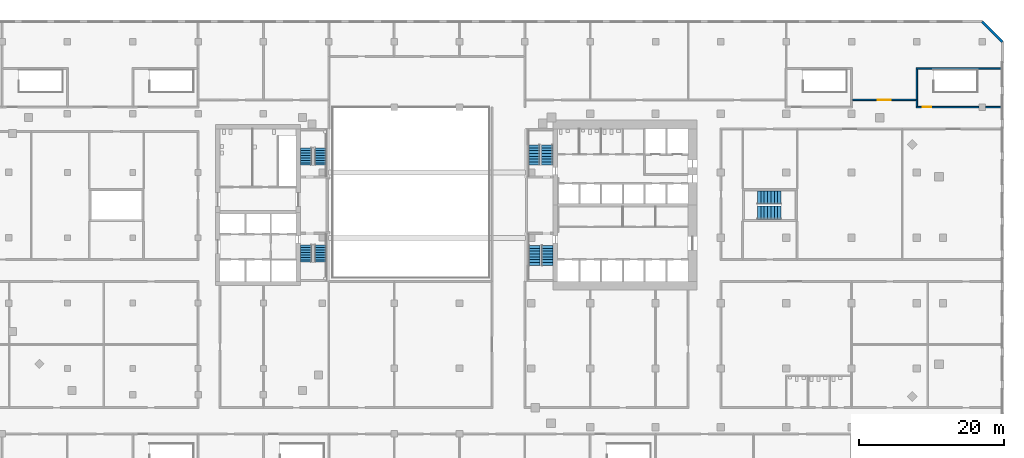
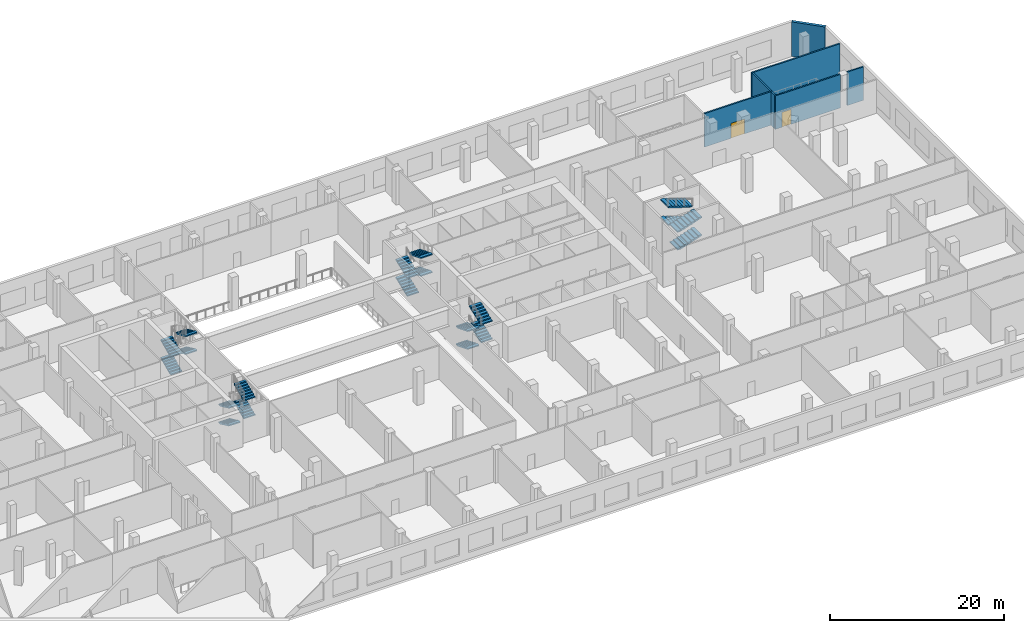
# One storey, part 15 of 20: 20 stair flights, 7 walls, 2 doors, 2 openings, 5 elements without a shape of their own.
"""IFC4 building model written with IfcOpenShell, lengths in metres."""

from ifc_helpers import new_model, si_unit, direction, frame, frame_2d, origin, place, context, subcontext, project, spatial, polyline, rectangle, outline, extrude, material, layer, layer_set, type_object, element, fill, aggregate, save


model = new_model("IFC4")

# Units and contexts
model_context = context("Model", 3, precision=1e-05, world=origin(), true_north=direction((0.0, 1.0)))
body_context = subcontext(model_context, "Body", "Model", "MODEL_VIEW")
ifc_project = project(units=[si_unit("LENGTHUNIT", "METRE"), si_unit("AREAUNIT", "SQUARE_METRE"), si_unit("VOLUMEUNIT", "CUBIC_METRE"), si_unit("PLANEANGLEUNIT", "RADIAN"), si_unit("MASSUNIT", "GRAM", prefix="KILO")], contexts=[model_context])

# Site, building, storey
site_placement = place(None, origin())
site = spatial("IfcSite", under=ifc_project, at=site_placement, CompositionType="ELEMENT")
building_placement = place(site_placement, origin())
building = spatial("IfcBuilding", under=site, at=building_placement, Name="Cinnabar Reach Civic Tower", CompositionType="ELEMENT")
storey_placement = place(building_placement, frame((0.0, 0.0, 21.0)))
storey = spatial("IfcBuildingStorey", under=building, at=storey_placement, Name="L04", CompositionType="ELEMENT", Elevation=21.0)

# Wall
ifc_material_1 = material(Name="Facing brick with insulated backing", Category="masonry")
ifc_layer_1 = layer(ifc_material_1, 0.36)
ifc_layer_set_1 = layer_set([ifc_layer_1], Name="Brick corner wall")
wall_type_1 = type_object("IfcWallType", Name="Brick corner wall", PredefinedType="STANDARD", material=ifc_layer_set_1)
wall_1_placement = place(storey_placement, frame((65.7843, 53.9611, 0.0), z_axis=(0.0, 0.0, 1.0), x_axis=(-0.707106781187, 0.707106781187, 0.0)))
element("IfcWall", 1, at=wall_1_placement, inside=storey, type_object=wall_type_1, Name="Brick corner wall", PredefinedType="STANDARD", context=body_context, shape_type="SweptSolid", body=[
    extrude(rectangle(XDim=3.9926, YDim=0.36, at=frame_2d((1.9963, 0.0))), origin(), (0.0, 0.0, 1.0), 4.85),
])

# Wall, opening, door
ifc_material_2 = material(Name="Concrete blockwork", Category="masonry")
ifc_layer_2 = layer(ifc_material_2, 0.2)
ifc_layer_set_2 = layer_set([ifc_layer_2], Name="Podium masonry corridor wall 200 EI 120")
wall_type_2 = type_object("IfcWallType", Name="Podium masonry corridor wall 200 EI 120", PredefinedType="PARTITIONING", material=ifc_layer_set_2)
wall_2_placement = place(storey_placement, frame((45.1, 46.0, 0.0), z_axis=(0.0, 0.0, 1.0), x_axis=(1.0, 0.0, 0.0)))
wall_2 = element("IfcWall", 2, at=wall_2_placement, inside=storey, type_object=wall_type_2, Name="Wall L04 98", PredefinedType="PARTITIONING", context=body_context, shape_type="SweptSolid", body=[
    extrude(rectangle(XDim=8.8, YDim=0.2, at=frame_2d((4.4, 0.0))), origin(), (0.0, 0.0, 1.0), 4.7),
])
opening_1_placement = place(wall_2_placement, frame((3.5, 0.0, 0.0)))
opening_1 = element("IfcOpeningElement", 3, at=opening_1_placement, cuts=wall_2, Name="Opening D1255", PredefinedType="OPENING", context=body_context, shape_type="SweptSolid", body=[
    extrude(rectangle(XDim=1.8, YDim=2.1, at=frame_2d((0.9, 1.05))), frame((0.0, 0.11, 0.0), z_axis=(0.0, -1.0, 0.0), x_axis=(1.0, 0.0, 0.0)), (0.0, 0.0, 1.0), 0.22),
])
ifc_material_3 = material(Name="Painted steel door leaf", Category="steel")
door_type_1 = type_object("IfcDoorType", Name="Podium double door 1800x2100", OperationType="DOUBLE_DOOR_SINGLE_SWING", PredefinedType="DOOR", material=ifc_material_3)
door_1_placement = place(opening_1_placement, origin())
door_1 = element("IfcDoor", 4, at=door_1_placement, inside=storey, type_object=door_type_1, Name="Door D1255", OperationType="DOUBLE_DOOR_SINGLE_SWING", OverallHeight=2.1, OverallWidth=1.8, PredefinedType="DOOR", context=body_context, shape_type="SweptSolid", body=[
    extrude(rectangle(XDim=1.8, YDim=2.1, at=frame_2d((0.9, 1.05))), frame((0.0, 0.025, 0.0), z_axis=(0.0, -1.0, 0.0), x_axis=(1.0, 0.0, 0.0)), (0.0, 0.0, 1.0), 0.05),
])
fill(opening_1, door_1)

# Wall
ifc_material_4 = material(Name="Concrete C40", Category="concrete")
ifc_layer_3 = layer(ifc_material_4, 0.2)
ifc_layer_set_3 = layer_set([ifc_layer_3], Name="Podium stair shaft wall 200 EI 120")
wall_type_3 = type_object("IfcWallType", Name="Podium stair shaft wall 200 EI 120", PredefinedType="SOLIDWALL", material=ifc_layer_set_3)
wall_3_placement = place(storey_placement, frame((54.0, 45.1, 0.0), z_axis=(0.0, 0.0, 1.0), x_axis=(0.0, 1.0, 0.0)))
element("IfcWall", 5, at=wall_3_placement, inside=storey, type_object=wall_type_3, Name="Wall L04 17", PredefinedType="SOLIDWALL", context=body_context, shape_type="SweptSolid", body=[
    extrude(rectangle(XDim=0.9, YDim=0.2, at=frame_2d((0.45, 0.0))), origin(), (0.0, 0.0, 1.0), 4.7),
])

# Wall, opening, door
wall_4_placement = place(storey_placement, frame((53.9, 45.0, 0.0), z_axis=(0.0, 0.0, 1.0), x_axis=(1.0, 0.0, 0.0)))
wall_4 = element("IfcWall", 6, at=wall_4_placement, inside=storey, type_object=wall_type_3, Name="Wall L04 18", PredefinedType="SOLIDWALL", context=body_context, shape_type="SweptSolid", body=[
    extrude(rectangle(XDim=8.63, YDim=0.2, at=frame_2d((4.315, 0.0))), origin(), (0.0, 0.0, 1.0), 4.7),
])
opening_2_placement = place(wall_4_placement, frame((0.9, 0.0, 0.0)))
opening_2 = element("IfcOpeningElement", 7, at=opening_2_placement, cuts=wall_4, Name="Opening D1279", PredefinedType="OPENING", context=body_context, shape_type="SweptSolid", body=[
    extrude(rectangle(XDim=1.2, YDim=2.1, at=frame_2d((0.6, 1.05))), frame((0.0, 0.11, 0.0), z_axis=(0.0, -1.0, 0.0), x_axis=(1.0, 0.0, 0.0)), (0.0, 0.0, 1.0), 0.22),
])
door_type_2 = type_object("IfcDoorType", Name="Podium single door 1200x2100", OperationType="SINGLE_SWING_LEFT", PredefinedType="DOOR", material=ifc_material_3)
door_2_placement = place(opening_2_placement, origin())
door_2 = element("IfcDoor", 8, at=door_2_placement, inside=storey, type_object=door_type_2, Name="Door D1279", OperationType="SINGLE_SWING_LEFT", OverallHeight=2.1, OverallWidth=1.2, PredefinedType="DOOR", context=body_context, shape_type="SweptSolid", body=[
    extrude(rectangle(XDim=1.2, YDim=2.1, at=frame_2d((0.6, 1.05))), frame((0.0, 0.025, 0.0), z_axis=(0.0, -1.0, 0.0), x_axis=(1.0, 0.0, 0.0)), (0.0, 0.0, 1.0), 0.05),
])
fill(opening_2, door_2)

# Walls
wall_5_placement = place(storey_placement, frame((63.47, 45.0, 0.0), z_axis=(0.0, 0.0, 1.0), x_axis=(1.0, 0.0, 0.0)))
element("IfcWall", 9, at=wall_5_placement, inside=storey, type_object=wall_type_3, Name="Wall L04 19", PredefinedType="SOLIDWALL", context=body_context, shape_type="SweptSolid", body=[
    extrude(rectangle(XDim=2.13, YDim=0.2, at=frame_2d((1.065, 0.0))), origin(), (0.0, 0.0, 1.0), 4.7),
])
wall_6_placement = place(storey_placement, frame((54.0, 46.0, 0.0), z_axis=(0.0, 0.0, 1.0), x_axis=(0.0, 1.0, 0.0)))
element("IfcWall", 10, at=wall_6_placement, inside=storey, type_object=wall_type_3, Name="Wall L04 20", PredefinedType="SOLIDWALL", context=body_context, shape_type="SweptSolid", body=[
    extrude(rectangle(XDim=4.25, YDim=0.2, at=frame_2d((2.125, 0.0))), origin(), (0.0, 0.0, 1.0), 4.7),
])
wall_7_placement = place(storey_placement, frame((53.9, 50.35, 0.0), z_axis=(0.0, 0.0, 1.0), x_axis=(1.0, 0.0, 0.0)))
element("IfcWall", 11, at=wall_7_placement, inside=storey, type_object=wall_type_3, Name="Wall L04 21", PredefinedType="SOLIDWALL", context=body_context, shape_type="SweptSolid", body=[
    extrude(rectangle(XDim=11.7, YDim=0.2, at=frame_2d((5.85, 0.0))), origin(), (0.0, 0.0, 1.0), 4.7),
])

# Stair, stair flights
ifc_material_5 = material(Name="Concrete C40/50", Category="concrete")
stair_type_1 = type_object("IfcStairType", Name="T1 Exit stair, double return", PredefinedType="DOUBLE_RETURN_STAIR", material=ifc_material_5)
stair_1_placement = place(storey_placement, origin())
stair_1 = element("IfcStair", 12, at=stair_1_placement, inside=storey, type_object=stair_type_1, Name="Stair T1-S1", PredefinedType="DOUBLE_RETURN_STAIR")
stair_flight_type_1 = type_object("IfcStairFlightType", Name="T1 Stair flight, concrete", PredefinedType="STRAIGHT", material=ifc_material_5)
stair_flight_1_placement = place(storey_placement, frame((1.3125, 25.95, 0.0), z_axis=(0.0, 0.0, 1.0), x_axis=(0.0, -1.0, 0.0)))
stair_flight_1 = element("IfcStairFlight", 13, at=stair_flight_1_placement, type_object=stair_flight_type_1, Name="T1-S1 flight 1", NumberOfRisers=8, NumberOfTreads=7, PredefinedType="STRAIGHT", RiserHeight=0.15625, TreadLength=0.392142857, context=body_context, shape_type="SweptSolid", body=[
    extrude(outline(polyline([(0.0, 0.0), (0.0, 0.1562), (0.3921, 0.1562), (0.3921, 0.3125), (0.7843, 0.3125), (0.7843, 0.4688), (1.1764, 0.4688), (1.1764, 0.625), (1.5686, 0.625), (1.5686, 0.7812), (1.9607, 0.7812), (1.9607, 0.9375), (2.3529, 0.9375), (2.3529, 1.0938), (2.745, 1.0938), (2.745, 1.25), (2.745, 0.9323), (0.4052, 0.0), (0.0, 0.0)])), frame((0.0, 0.7625, 0.0), z_axis=(0.0, -1.0, 0.0), x_axis=(1.0, 0.0, 0.0)), (0.0, 0.0, 1.0), 1.525),
])
stair_flight_2_placement = place(storey_placement, frame((3.0875, 23.205, 1.25), z_axis=(0.0, 0.0, 1.0), x_axis=(0.0, 1.0, 0.0)))
stair_flight_2 = element("IfcStairFlight", 14, at=stair_flight_2_placement, type_object=stair_flight_type_1, Name="T1-S1 flight 2", NumberOfRisers=8, NumberOfTreads=7, PredefinedType="STRAIGHT", RiserHeight=0.15625, TreadLength=0.392142857, context=body_context, shape_type="SweptSolid", body=[
    extrude(outline(polyline([(0.0, 0.0), (0.0, 0.1562), (0.3921, 0.1562), (0.3921, 0.3125), (0.7843, 0.3125), (0.7843, 0.4688), (1.1764, 0.4688), (1.1764, 0.625), (1.5686, 0.625), (1.5686, 0.7812), (1.9607, 0.7812), (1.9607, 0.9375), (2.3529, 0.9375), (2.3529, 1.0938), (2.745, 1.0938), (2.745, 1.25), (2.745, 0.9323), (0.4052, 0.0), (0.0, 0.0)])), frame((0.0, 0.7625, 0.0), z_axis=(0.0, -1.0, 0.0), x_axis=(1.0, 0.0, 0.0)), (0.0, 0.0, 1.0), 1.525),
])
stair_flight_3_placement = place(storey_placement, frame((1.3125, 25.95, 2.5), z_axis=(0.0, 0.0, 1.0), x_axis=(0.0, -1.0, 0.0)))
stair_flight_3 = element("IfcStairFlight", 15, at=stair_flight_3_placement, type_object=stair_flight_type_1, Name="T1-S1 flight 3", NumberOfRisers=8, NumberOfTreads=7, PredefinedType="STRAIGHT", RiserHeight=0.15625, TreadLength=0.392142857, context=body_context, shape_type="SweptSolid", body=[
    extrude(outline(polyline([(0.0, 0.0), (0.0, 0.1562), (0.3921, 0.1562), (0.3921, 0.3125), (0.7843, 0.3125), (0.7843, 0.4688), (1.1764, 0.4688), (1.1764, 0.625), (1.5686, 0.625), (1.5686, 0.7812), (1.9607, 0.7812), (1.9607, 0.9375), (2.3529, 0.9375), (2.3529, 1.0938), (2.745, 1.0938), (2.745, 1.25), (2.745, 0.9323), (0.4052, 0.0), (0.0, 0.0)])), frame((0.0, 0.7625, 0.0), z_axis=(0.0, -1.0, 0.0), x_axis=(1.0, 0.0, 0.0)), (0.0, 0.0, 1.0), 1.525),
])
stair_flight_4_placement = place(storey_placement, frame((3.0875, 23.205, 3.75), z_axis=(0.0, 0.0, 1.0), x_axis=(0.0, 1.0, 0.0)))
stair_flight_4 = element("IfcStairFlight", 16, at=stair_flight_4_placement, type_object=stair_flight_type_1, Name="T1-S1 flight 4", NumberOfRisers=8, NumberOfTreads=7, PredefinedType="STRAIGHT", RiserHeight=0.15625, TreadLength=0.392142857, context=body_context, shape_type="SweptSolid", body=[
    extrude(outline(polyline([(0.0, 0.0), (0.0, 0.1562), (0.3921, 0.1562), (0.3921, 0.3125), (0.7843, 0.3125), (0.7843, 0.4688), (1.1764, 0.4688), (1.1764, 0.625), (1.5686, 0.625), (1.5686, 0.7812), (1.9607, 0.7812), (1.9607, 0.9375), (2.3529, 0.9375), (2.3529, 1.0938), (2.745, 1.0938), (2.745, 1.25), (2.745, 0.9323), (0.4052, 0.0), (0.0, 0.0)])), frame((0.0, 0.7625, 0.0), z_axis=(0.0, -1.0, 0.0), x_axis=(1.0, 0.0, 0.0)), (0.0, 0.0, 1.0), 1.525),
])
aggregate(stair_1, [stair_flight_1, stair_flight_2, stair_flight_3, stair_flight_4])

stair_2_placement = place(storey_placement, origin())
stair_2 = element("IfcStair", 17, at=stair_2_placement, inside=storey, type_object=stair_type_1, Name="Stair T1-S2", PredefinedType="DOUBLE_RETURN_STAIR")
stair_flight_5_placement = place(storey_placement, frame((1.3125, 37.05, 0.0), z_axis=(0.0, 0.0, 1.0), x_axis=(0.0, 1.0, 0.0)))
stair_flight_5 = element("IfcStairFlight", 18, at=stair_flight_5_placement, type_object=stair_flight_type_1, Name="T1-S2 flight 1", NumberOfRisers=8, NumberOfTreads=7, PredefinedType="STRAIGHT", RiserHeight=0.15625, TreadLength=0.392142857, context=body_context, shape_type="SweptSolid", body=[
    extrude(outline(polyline([(0.0, 0.0), (0.0, 0.1562), (0.3921, 0.1562), (0.3921, 0.3125), (0.7843, 0.3125), (0.7843, 0.4688), (1.1764, 0.4688), (1.1764, 0.625), (1.5686, 0.625), (1.5686, 0.7812), (1.9607, 0.7812), (1.9607, 0.9375), (2.3529, 0.9375), (2.3529, 1.0938), (2.745, 1.0938), (2.745, 1.25), (2.745, 0.9323), (0.4052, 0.0), (0.0, 0.0)])), frame((0.0, 0.7625, 0.0), z_axis=(0.0, -1.0, 0.0), x_axis=(1.0, 0.0, 0.0)), (0.0, 0.0, 1.0), 1.525),
])
stair_flight_6_placement = place(storey_placement, frame((3.0875, 39.795, 1.25), z_axis=(0.0, 0.0, 1.0), x_axis=(0.0, -1.0, 0.0)))
stair_flight_6 = element("IfcStairFlight", 19, at=stair_flight_6_placement, type_object=stair_flight_type_1, Name="T1-S2 flight 2", NumberOfRisers=8, NumberOfTreads=7, PredefinedType="STRAIGHT", RiserHeight=0.15625, TreadLength=0.392142857, context=body_context, shape_type="SweptSolid", body=[
    extrude(outline(polyline([(0.0, 0.0), (0.0, 0.1562), (0.3921, 0.1562), (0.3921, 0.3125), (0.7843, 0.3125), (0.7843, 0.4688), (1.1764, 0.4688), (1.1764, 0.625), (1.5686, 0.625), (1.5686, 0.7812), (1.9607, 0.7812), (1.9607, 0.9375), (2.3529, 0.9375), (2.3529, 1.0938), (2.745, 1.0938), (2.745, 1.25), (2.745, 0.9323), (0.4052, 0.0), (0.0, 0.0)])), frame((0.0, 0.7625, 0.0), z_axis=(0.0, -1.0, 0.0), x_axis=(1.0, 0.0, 0.0)), (0.0, 0.0, 1.0), 1.525),
])
stair_flight_7_placement = place(storey_placement, frame((1.3125, 37.05, 2.5), z_axis=(0.0, 0.0, 1.0), x_axis=(0.0, 1.0, 0.0)))
stair_flight_7 = element("IfcStairFlight", 20, at=stair_flight_7_placement, type_object=stair_flight_type_1, Name="T1-S2 flight 3", NumberOfRisers=8, NumberOfTreads=7, PredefinedType="STRAIGHT", RiserHeight=0.15625, TreadLength=0.392142857, context=body_context, shape_type="SweptSolid", body=[
    extrude(outline(polyline([(0.0, 0.0), (0.0, 0.1562), (0.3921, 0.1562), (0.3921, 0.3125), (0.7843, 0.3125), (0.7843, 0.4688), (1.1764, 0.4688), (1.1764, 0.625), (1.5686, 0.625), (1.5686, 0.7812), (1.9607, 0.7812), (1.9607, 0.9375), (2.3529, 0.9375), (2.3529, 1.0938), (2.745, 1.0938), (2.745, 1.25), (2.745, 0.9323), (0.4052, 0.0), (0.0, 0.0)])), frame((0.0, 0.7625, 0.0), z_axis=(0.0, -1.0, 0.0), x_axis=(1.0, 0.0, 0.0)), (0.0, 0.0, 1.0), 1.525),
])
stair_flight_8_placement = place(storey_placement, frame((3.0875, 39.795, 3.75), z_axis=(0.0, 0.0, 1.0), x_axis=(0.0, -1.0, 0.0)))
stair_flight_8 = element("IfcStairFlight", 21, at=stair_flight_8_placement, type_object=stair_flight_type_1, Name="T1-S2 flight 4", NumberOfRisers=8, NumberOfTreads=7, PredefinedType="STRAIGHT", RiserHeight=0.15625, TreadLength=0.392142857, context=body_context, shape_type="SweptSolid", body=[
    extrude(outline(polyline([(0.0, 0.0), (0.0, 0.1562), (0.3921, 0.1562), (0.3921, 0.3125), (0.7843, 0.3125), (0.7843, 0.4688), (1.1764, 0.4688), (1.1764, 0.625), (1.5686, 0.625), (1.5686, 0.7812), (1.9607, 0.7812), (1.9607, 0.9375), (2.3529, 0.9375), (2.3529, 1.0938), (2.745, 1.0938), (2.745, 1.25), (2.745, 0.9323), (0.4052, 0.0), (0.0, 0.0)])), frame((0.0, 0.7625, 0.0), z_axis=(0.0, -1.0, 0.0), x_axis=(1.0, 0.0, 0.0)), (0.0, 0.0, 1.0), 1.525),
])
aggregate(stair_2, [stair_flight_5, stair_flight_6, stair_flight_7, stair_flight_8])

stair_3_placement = place(storey_placement, origin())
stair_3 = element("IfcStair", 22, at=stair_3_placement, inside=storey, type_object=stair_type_1, Name="Stair T1-S3", PredefinedType="DOUBLE_RETURN_STAIR")
stair_flight_9_placement = place(storey_placement, frame((32.05, 30.45, 0.0), z_axis=(0.0, 0.0, 1.0), x_axis=(1.0, 0.0, 0.0)))
stair_flight_9 = element("IfcStairFlight", 23, at=stair_flight_9_placement, type_object=stair_flight_type_1, Name="T1-S3 flight 1", NumberOfRisers=8, NumberOfTreads=7, PredefinedType="STRAIGHT", RiserHeight=0.15625, TreadLength=0.462857143, context=body_context, shape_type="SweptSolid", body=[
    extrude(outline(polyline([(0.0, 0.0), (0.0, 0.1562), (0.4629, 0.1562), (0.4629, 0.3125), (0.9257, 0.3125), (0.9257, 0.4688), (1.3886, 0.4688), (1.3886, 0.625), (1.8514, 0.625), (1.8514, 0.7812), (2.3143, 0.7812), (2.3143, 0.9375), (2.7771, 0.9375), (2.7771, 1.0938), (3.24, 1.0938), (3.24, 1.25), (3.24, 0.9354), (0.469, 0.0), (0.0, 0.0)])), frame((0.0, 0.9, 0.0), z_axis=(0.0, -1.0, 0.0), x_axis=(1.0, 0.0, 0.0)), (0.0, 0.0, 1.0), 1.8),
])
stair_flight_10_placement = place(storey_placement, frame((35.29, 32.55, 1.25), z_axis=(0.0, 0.0, 1.0), x_axis=(-1.0, 0.0, 0.0)))
stair_flight_10 = element("IfcStairFlight", 24, at=stair_flight_10_placement, type_object=stair_flight_type_1, Name="T1-S3 flight 2", NumberOfRisers=8, NumberOfTreads=7, PredefinedType="STRAIGHT", RiserHeight=0.15625, TreadLength=0.462857143, context=body_context, shape_type="SweptSolid", body=[
    extrude(outline(polyline([(0.0, 0.0), (0.0, 0.1562), (0.4629, 0.1562), (0.4629, 0.3125), (0.9257, 0.3125), (0.9257, 0.4688), (1.3886, 0.4688), (1.3886, 0.625), (1.8514, 0.625), (1.8514, 0.7812), (2.3143, 0.7812), (2.3143, 0.9375), (2.7771, 0.9375), (2.7771, 1.0938), (3.24, 1.0938), (3.24, 1.25), (3.24, 0.9354), (0.469, 0.0), (0.0, 0.0)])), frame((0.0, 0.9, 0.0), z_axis=(0.0, -1.0, 0.0), x_axis=(1.0, 0.0, 0.0)), (0.0, 0.0, 1.0), 1.8),
])
stair_flight_11_placement = place(storey_placement, frame((32.05, 30.45, 2.5), z_axis=(0.0, 0.0, 1.0), x_axis=(1.0, 0.0, 0.0)))
stair_flight_11 = element("IfcStairFlight", 25, at=stair_flight_11_placement, type_object=stair_flight_type_1, Name="T1-S3 flight 3", NumberOfRisers=8, NumberOfTreads=7, PredefinedType="STRAIGHT", RiserHeight=0.15625, TreadLength=0.462857143, context=body_context, shape_type="SweptSolid", body=[
    extrude(outline(polyline([(0.0, 0.0), (0.0, 0.1562), (0.4629, 0.1562), (0.4629, 0.3125), (0.9257, 0.3125), (0.9257, 0.4688), (1.3886, 0.4688), (1.3886, 0.625), (1.8514, 0.625), (1.8514, 0.7812), (2.3143, 0.7812), (2.3143, 0.9375), (2.7771, 0.9375), (2.7771, 1.0938), (3.24, 1.0938), (3.24, 1.25), (3.24, 0.9354), (0.469, 0.0), (0.0, 0.0)])), frame((0.0, 0.9, 0.0), z_axis=(0.0, -1.0, 0.0), x_axis=(1.0, 0.0, 0.0)), (0.0, 0.0, 1.0), 1.8),
])
stair_flight_12_placement = place(storey_placement, frame((35.29, 32.55, 3.75), z_axis=(0.0, 0.0, 1.0), x_axis=(-1.0, 0.0, 0.0)))
stair_flight_12 = element("IfcStairFlight", 26, at=stair_flight_12_placement, type_object=stair_flight_type_1, Name="T1-S3 flight 4", NumberOfRisers=8, NumberOfTreads=7, PredefinedType="STRAIGHT", RiserHeight=0.15625, TreadLength=0.462857143, context=body_context, shape_type="SweptSolid", body=[
    extrude(outline(polyline([(0.0, 0.0), (0.0, 0.1562), (0.4629, 0.1562), (0.4629, 0.3125), (0.9257, 0.3125), (0.9257, 0.4688), (1.3886, 0.4688), (1.3886, 0.625), (1.8514, 0.625), (1.8514, 0.7812), (2.3143, 0.7812), (2.3143, 0.9375), (2.7771, 0.9375), (2.7771, 1.0938), (3.24, 1.0938), (3.24, 1.25), (3.24, 0.9354), (0.469, 0.0), (0.0, 0.0)])), frame((0.0, 0.9, 0.0), z_axis=(0.0, -1.0, 0.0), x_axis=(1.0, 0.0, 0.0)), (0.0, 0.0, 1.0), 1.8),
])
aggregate(stair_3, [stair_flight_9, stair_flight_10, stair_flight_11, stair_flight_12])

stair_type_2 = type_object("IfcStairType", Name="T2 Exit stair 1500", PredefinedType="HALF_TURN_STAIR", material=ifc_material_4)
stair_4_placement = place(storey_placement, origin())
stair_4 = element("IfcStair", 27, at=stair_4_placement, inside=storey, type_object=stair_type_2, Name="Exit stair 1", PredefinedType="HALF_TURN_STAIR")
stair_flight_type_2 = type_object("IfcStairFlightType", Name="T2 Stair flight 1500", PredefinedType="STRAIGHT", material=ifc_material_4)
stair_flight_13_placement = place(storey_placement, frame((-30.15, 26.0, 0.0), z_axis=(0.0, 0.0, 1.0), x_axis=(0.0, -1.0, 0.0)))
stair_flight_13 = element("IfcStairFlight", 28, at=stair_flight_13_placement, type_object=stair_flight_type_2, Name="ST1 flight 1", NumberOfRisers=8, NumberOfTreads=7, PredefinedType="STRAIGHT", RiserHeight=0.15625, TreadLength=0.3375, context=body_context, shape_type="SweptSolid", body=[
    extrude(outline(polyline([(0.0, 0.0), (0.0, 0.1562), (0.3375, 0.1562), (0.3375, 0.3125), (0.675, 0.3125), (0.675, 0.4688), (1.0125, 0.4688), (1.0125, 0.625), (1.35, 0.625), (1.35, 0.7812), (1.6875, 0.7812), (1.6875, 0.9375), (2.025, 0.9375), (2.025, 1.0938), (2.3625, 1.0938), (2.3625, 1.25), (2.3625, 0.9285), (0.357, 0.0), (0.0, 0.0)])), frame((0.0, 0.75, 0.0), z_axis=(0.0, -1.0, 0.0), x_axis=(1.0, 0.0, 0.0)), (0.0, 0.0, 1.0), 1.5),
])
stair_flight_14_placement = place(storey_placement, frame((-28.15, 23.6375, 1.25), z_axis=(0.0, 0.0, 1.0), x_axis=(0.0, 1.0, 0.0)))
stair_flight_14 = element("IfcStairFlight", 29, at=stair_flight_14_placement, type_object=stair_flight_type_2, Name="ST1 flight 2", NumberOfRisers=8, NumberOfTreads=7, PredefinedType="STRAIGHT", RiserHeight=0.15625, TreadLength=0.3375, context=body_context, shape_type="SweptSolid", body=[
    extrude(outline(polyline([(0.0, 0.0), (0.0, 0.1562), (0.3375, 0.1562), (0.3375, 0.3125), (0.675, 0.3125), (0.675, 0.4688), (1.0125, 0.4688), (1.0125, 0.625), (1.35, 0.625), (1.35, 0.7812), (1.6875, 0.7812), (1.6875, 0.9375), (2.025, 0.9375), (2.025, 1.0938), (2.3625, 1.0938), (2.3625, 1.25), (2.3625, 0.9285), (0.357, 0.0), (0.0, 0.0)])), frame((0.0, 0.75, 0.0), z_axis=(0.0, -1.0, 0.0), x_axis=(1.0, 0.0, 0.0)), (0.0, 0.0, 1.0), 1.5),
])
stair_flight_15_placement = place(storey_placement, frame((-30.15, 26.0, 2.5), z_axis=(0.0, 0.0, 1.0), x_axis=(0.0, -1.0, 0.0)))
stair_flight_15 = element("IfcStairFlight", 30, at=stair_flight_15_placement, type_object=stair_flight_type_2, Name="ST1 flight 3", NumberOfRisers=8, NumberOfTreads=7, PredefinedType="STRAIGHT", RiserHeight=0.15625, TreadLength=0.3375, context=body_context, shape_type="SweptSolid", body=[
    extrude(outline(polyline([(0.0, 0.0), (0.0, 0.1562), (0.3375, 0.1562), (0.3375, 0.3125), (0.675, 0.3125), (0.675, 0.4688), (1.0125, 0.4688), (1.0125, 0.625), (1.35, 0.625), (1.35, 0.7812), (1.6875, 0.7812), (1.6875, 0.9375), (2.025, 0.9375), (2.025, 1.0938), (2.3625, 1.0938), (2.3625, 1.25), (2.3625, 0.9285), (0.357, 0.0), (0.0, 0.0)])), frame((0.0, 0.75, 0.0), z_axis=(0.0, -1.0, 0.0), x_axis=(1.0, 0.0, 0.0)), (0.0, 0.0, 1.0), 1.5),
])
stair_flight_16_placement = place(storey_placement, frame((-28.15, 23.6375, 3.75), z_axis=(0.0, 0.0, 1.0), x_axis=(0.0, 1.0, 0.0)))
stair_flight_16 = element("IfcStairFlight", 31, at=stair_flight_16_placement, type_object=stair_flight_type_2, Name="ST1 flight 4", NumberOfRisers=8, NumberOfTreads=7, PredefinedType="STRAIGHT", RiserHeight=0.15625, TreadLength=0.3375, context=body_context, shape_type="SweptSolid", body=[
    extrude(outline(polyline([(0.0, 0.0), (0.0, 0.1562), (0.3375, 0.1562), (0.3375, 0.3125), (0.675, 0.3125), (0.675, 0.4688), (1.0125, 0.4688), (1.0125, 0.625), (1.35, 0.625), (1.35, 0.7812), (1.6875, 0.7812), (1.6875, 0.9375), (2.025, 0.9375), (2.025, 1.0938), (2.3625, 1.0938), (2.3625, 1.25), (2.3625, 0.9285), (0.357, 0.0), (0.0, 0.0)])), frame((0.0, 0.75, 0.0), z_axis=(0.0, -1.0, 0.0), x_axis=(1.0, 0.0, 0.0)), (0.0, 0.0, 1.0), 1.5),
])
aggregate(stair_4, [stair_flight_13, stair_flight_14, stair_flight_15, stair_flight_16])

stair_5_placement = place(storey_placement, origin())
stair_5 = element("IfcStair", 32, at=stair_5_placement, inside=storey, type_object=stair_type_2, Name="Exit stair 2", PredefinedType="HALF_TURN_STAIR")
stair_flight_17_placement = place(storey_placement, frame((-30.15, 37.0, 0.0), z_axis=(0.0, 0.0, 1.0), x_axis=(0.0, 1.0, 0.0)))
stair_flight_17 = element("IfcStairFlight", 33, at=stair_flight_17_placement, type_object=stair_flight_type_2, Name="ST2 flight 1", NumberOfRisers=8, NumberOfTreads=7, PredefinedType="STRAIGHT", RiserHeight=0.15625, TreadLength=0.3375, context=body_context, shape_type="SweptSolid", body=[
    extrude(outline(polyline([(0.0, 0.0), (0.0, 0.1562), (0.3375, 0.1562), (0.3375, 0.3125), (0.675, 0.3125), (0.675, 0.4688), (1.0125, 0.4688), (1.0125, 0.625), (1.35, 0.625), (1.35, 0.7812), (1.6875, 0.7812), (1.6875, 0.9375), (2.025, 0.9375), (2.025, 1.0938), (2.3625, 1.0938), (2.3625, 1.25), (2.3625, 0.9285), (0.357, 0.0), (0.0, 0.0)])), frame((0.0, 0.75, 0.0), z_axis=(0.0, -1.0, 0.0), x_axis=(1.0, 0.0, 0.0)), (0.0, 0.0, 1.0), 1.5),
])
stair_flight_18_placement = place(storey_placement, frame((-28.15, 39.3625, 1.25), z_axis=(0.0, 0.0, 1.0), x_axis=(0.0, -1.0, 0.0)))
stair_flight_18 = element("IfcStairFlight", 34, at=stair_flight_18_placement, type_object=stair_flight_type_2, Name="ST2 flight 2", NumberOfRisers=8, NumberOfTreads=7, PredefinedType="STRAIGHT", RiserHeight=0.15625, TreadLength=0.3375, context=body_context, shape_type="SweptSolid", body=[
    extrude(outline(polyline([(0.0, 0.0), (0.0, 0.1562), (0.3375, 0.1562), (0.3375, 0.3125), (0.675, 0.3125), (0.675, 0.4688), (1.0125, 0.4688), (1.0125, 0.625), (1.35, 0.625), (1.35, 0.7812), (1.6875, 0.7812), (1.6875, 0.9375), (2.025, 0.9375), (2.025, 1.0938), (2.3625, 1.0938), (2.3625, 1.25), (2.3625, 0.9285), (0.357, 0.0), (0.0, 0.0)])), frame((0.0, 0.75, 0.0), z_axis=(0.0, -1.0, 0.0), x_axis=(1.0, 0.0, 0.0)), (0.0, 0.0, 1.0), 1.5),
])
stair_flight_19_placement = place(storey_placement, frame((-30.15, 37.0, 2.5), z_axis=(0.0, 0.0, 1.0), x_axis=(0.0, 1.0, 0.0)))
stair_flight_19 = element("IfcStairFlight", 35, at=stair_flight_19_placement, type_object=stair_flight_type_2, Name="ST2 flight 3", NumberOfRisers=8, NumberOfTreads=7, PredefinedType="STRAIGHT", RiserHeight=0.15625, TreadLength=0.3375, context=body_context, shape_type="SweptSolid", body=[
    extrude(outline(polyline([(0.0, 0.0), (0.0, 0.1562), (0.3375, 0.1562), (0.3375, 0.3125), (0.675, 0.3125), (0.675, 0.4688), (1.0125, 0.4688), (1.0125, 0.625), (1.35, 0.625), (1.35, 0.7812), (1.6875, 0.7812), (1.6875, 0.9375), (2.025, 0.9375), (2.025, 1.0938), (2.3625, 1.0938), (2.3625, 1.25), (2.3625, 0.9285), (0.357, 0.0), (0.0, 0.0)])), frame((0.0, 0.75, 0.0), z_axis=(0.0, -1.0, 0.0), x_axis=(1.0, 0.0, 0.0)), (0.0, 0.0, 1.0), 1.5),
])
stair_flight_20_placement = place(storey_placement, frame((-28.15, 39.3625, 3.75), z_axis=(0.0, 0.0, 1.0), x_axis=(0.0, -1.0, 0.0)))
stair_flight_20 = element("IfcStairFlight", 36, at=stair_flight_20_placement, type_object=stair_flight_type_2, Name="ST2 flight 4", NumberOfRisers=8, NumberOfTreads=7, PredefinedType="STRAIGHT", RiserHeight=0.15625, TreadLength=0.3375, context=body_context, shape_type="SweptSolid", body=[
    extrude(outline(polyline([(0.0, 0.0), (0.0, 0.1562), (0.3375, 0.1562), (0.3375, 0.3125), (0.675, 0.3125), (0.675, 0.4688), (1.0125, 0.4688), (1.0125, 0.625), (1.35, 0.625), (1.35, 0.7812), (1.6875, 0.7812), (1.6875, 0.9375), (2.025, 0.9375), (2.025, 1.0938), (2.3625, 1.0938), (2.3625, 1.25), (2.3625, 0.9285), (0.357, 0.0), (0.0, 0.0)])), frame((0.0, 0.75, 0.0), z_axis=(0.0, -1.0, 0.0), x_axis=(1.0, 0.0, 0.0)), (0.0, 0.0, 1.0), 1.5),
])
aggregate(stair_5, [stair_flight_17, stair_flight_18, stair_flight_19, stair_flight_20])

save(model, "model.ifc")
